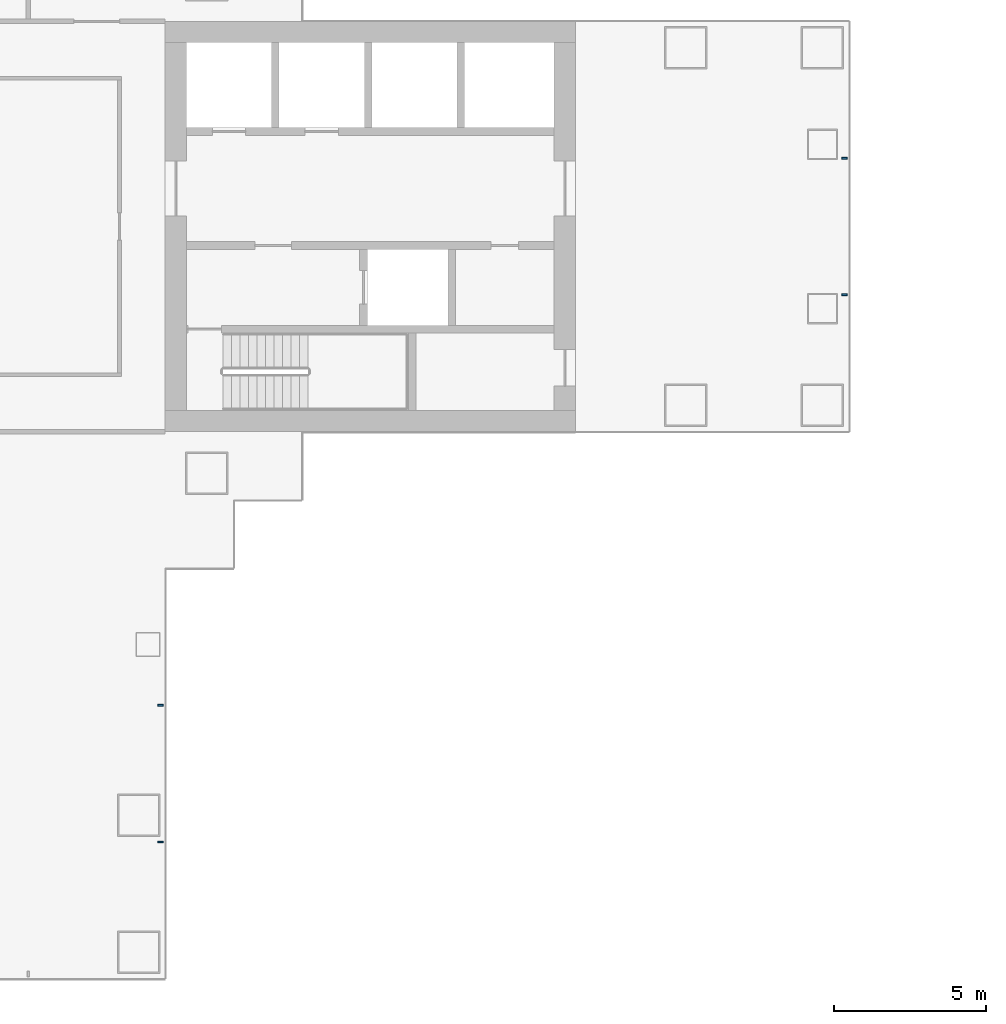
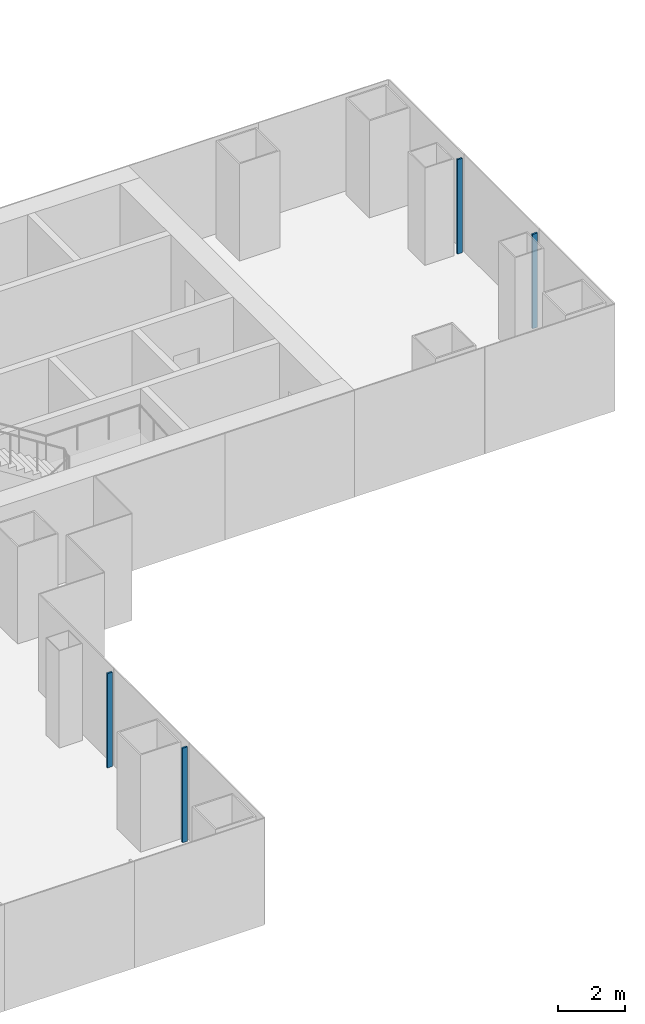
# One storey, part 5 of 21: 4 members, 2 elements without a shape of their own.
"""IFC4 building model written with IfcOpenShell, lengths in metres."""

from ifc_helpers import new_model, si_unit, direction, frame, origin, origin_2d, place, context, subcontext, project, spatial, rectangle, extrude, material, layer, layer_set, material_profile, profile_set, type_object, element, aggregate, save


model = new_model("IFC4")

# Units and contexts
model_context = context("Model", 3, precision=1e-05, world=origin(), true_north=direction((0.0, 1.0)))
body_context = subcontext(model_context, "Body", "Model", "MODEL_VIEW")
ifc_project = project(units=[si_unit("LENGTHUNIT", "METRE"), si_unit("AREAUNIT", "SQUARE_METRE"), si_unit("VOLUMEUNIT", "CUBIC_METRE"), si_unit("PLANEANGLEUNIT", "RADIAN"), si_unit("MASSUNIT", "GRAM", prefix="KILO")], contexts=[model_context])

# Site, building, storey
site_placement = place(None, origin())
site = spatial("IfcSite", under=ifc_project, at=site_placement, CompositionType="ELEMENT")
building_placement = place(site_placement, origin())
building = spatial("IfcBuilding", under=site, at=building_placement, Name="Shamsa Quay Exchange Towers", CompositionType="ELEMENT")
storey_placement = place(building_placement, frame((0.0, 0.0, 49.800048828125)))
storey = spatial("IfcBuildingStorey", under=building, at=storey_placement, Name="L10", CompositionType="ELEMENT", Elevation=49.800048828125)

# Curtain wall, members
ifc_material = material(Name="Aluminium EN AW-6063 T6, black anodised", Category="aluminium")
ifc_layer = layer(ifc_material, 0.280029296875)
ifc_layer_set = layer_set([ifc_layer], Name="CW-1 UNITISED VISION GLASS")
curtain_wall_type = type_object("IfcCurtainWallType", Name="CW-1 UNITISED VISION GLASS", PredefinedType="NOTDEFINED", material=ifc_layer_set)
curtain_wall_1_placement = place(storey_placement, origin())
curtain_wall_1 = element("IfcCurtainWall", 1, at=curtain_wall_1_placement, inside=storey, type_object=curtain_wall_type, Name="CW1 T1-FLK-V-E L10", PredefinedType="NOTDEFINED")
ifc_material_profile = material_profile(ifc_material, rectangle(XDim=0.179931640625, YDim=0.06005859375, at=origin_2d()), Name="MU60x180")
ifc_profile_set = profile_set([ifc_material_profile], Name="Aluminium EN AW-6063 T6, black anodised")
member_type = type_object("IfcMemberType", Name="CW1 MULLION 60x180", PredefinedType="MULLION", material=ifc_profile_set)
member_1_placement = place(storey_placement, frame((-27.14990234375, -20.25, 0.0), z_axis=(0.0, 0.0, 1.0), x_axis=(-1.0, 0.0, 0.0)))
member_1 = element("IfcMember", 2, at=member_1_placement, type_object=member_type, Name="CW1 mullion", PredefinedType="MULLION", context=body_context, shape_type="SweptSolid", body=[
    extrude(rectangle(XDim=0.179931640625, YDim=0.06005859375, at=origin_2d()), origin(), (0.0, 0.0, 1.0), 3.449951171875),
])
member_2_placement = place(storey_placement, frame((-27.14990234375, -15.75, 0.0), z_axis=(0.0, 0.0, 1.0), x_axis=(-1.0, 0.0, 0.0)))
member_2 = element("IfcMember", 3, at=member_2_placement, type_object=member_type, Name="CW1 mullion", PredefinedType="MULLION", context=body_context, shape_type="SweptSolid", body=[
    extrude(rectangle(XDim=0.179931640625, YDim=0.06005859375, at=origin_2d()), origin(), (0.0, 0.0, 1.0), 3.449951171875),
])
aggregate(curtain_wall_1, [member_1, member_2])

curtain_wall_2_placement = place(storey_placement, origin())
curtain_wall_2 = element("IfcCurtainWall", 4, at=curtain_wall_2_placement, inside=storey, type_object=curtain_wall_type, Name="CW1 T1-END-U+ L10", PredefinedType="NOTDEFINED")
member_3_placement = place(storey_placement, frame((-4.64990234375, -2.25, 0.0), z_axis=(0.0, 0.0, 1.0), x_axis=(-1.0, 0.0, 0.0)))
member_3 = element("IfcMember", 5, at=member_3_placement, type_object=member_type, Name="CW1 mullion", PredefinedType="MULLION", context=body_context, shape_type="SweptSolid", body=[
    extrude(rectangle(XDim=0.179931640625, YDim=0.06005859375, at=origin_2d()), origin(), (0.0, 0.0, 1.0), 3.449951171875),
])
member_4_placement = place(storey_placement, frame((-4.64990234375, 2.25, 0.0), z_axis=(0.0, 0.0, 1.0), x_axis=(-1.0, 0.0, 0.0)))
member_4 = element("IfcMember", 6, at=member_4_placement, type_object=member_type, Name="CW1 mullion", PredefinedType="MULLION", context=body_context, shape_type="SweptSolid", body=[
    extrude(rectangle(XDim=0.179931640625, YDim=0.06005859375, at=origin_2d()), origin(), (0.0, 0.0, 1.0), 3.449951171875),
])
aggregate(curtain_wall_2, [member_3, member_4])

save(model, "model.ifc")
